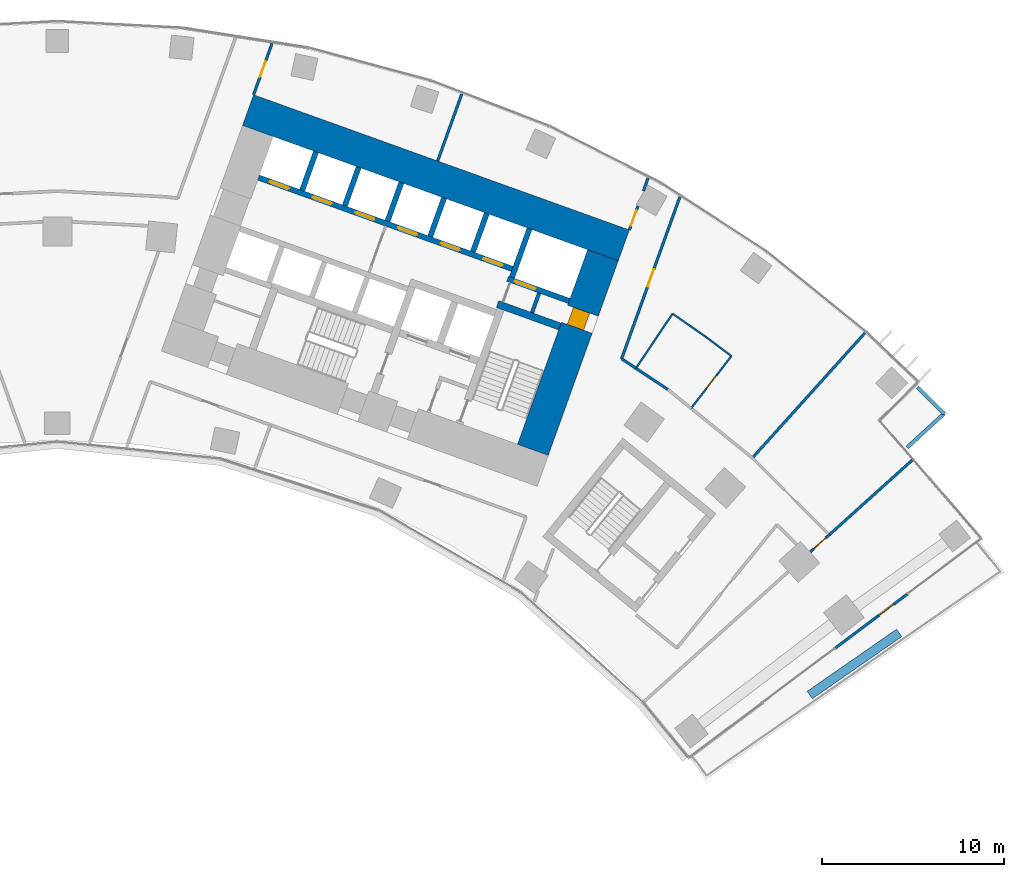
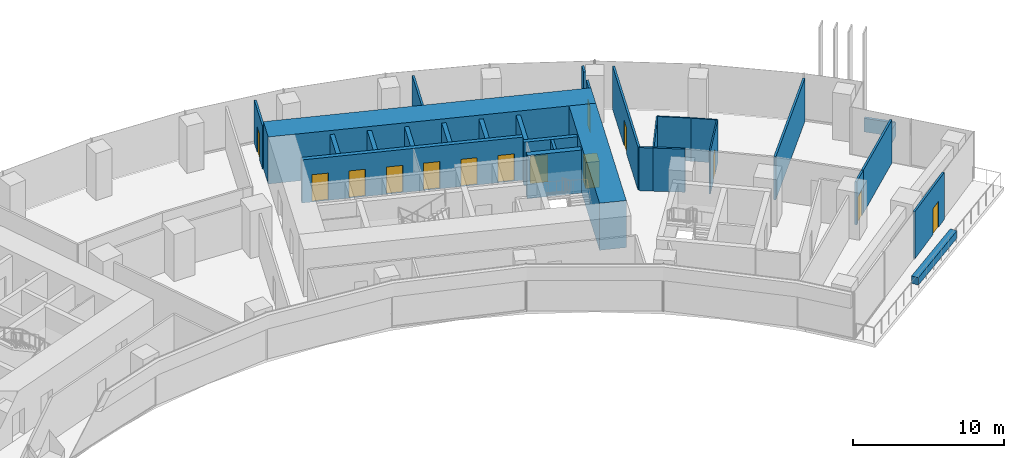
# One storey, part 18 of 21: 30 walls, 14 doors, 14 openings.
"""IFC4 building model written with IfcOpenShell, lengths in metres."""

import ifcopenshell
import ifcopenshell.guid

model = None  # the IFC model being written
_history = None  # IfcOwnerHistory: only IFC2X3 demands one
_inside = {}  # id of a spatial element -> (the spatial element, [elements in it])
_under = {}  # id of a project, library or spatial element -> (it, [spatial elements below it])
_declared = {}  # id of a project -> (the project, [libraries it declares])
_typed = {}  # id of a type object -> (the type object, [elements of that type])
_made_of = {}  # id of a material, layer set ... -> (it, [elements and type objects made of it])


def new_model(schema):
    """Start an empty IFC model of exactly this schema.

    Asked for "IFC4X3", IfcOpenShell would pick the latest addendum, in which some entities
    have other attributes; the version numbers below select the first issue.
    IFC2X3 requires an IfcOwnerHistory on every rooted entity: one is made here for all.
    """
    global model, _history
    if schema == "IFC4X3":
        model = ifcopenshell.file(schema_version=(4, 3, 0, 0))
    else:
        model = ifcopenshell.file(schema=schema)
    _inside.clear()
    _under.clear()
    _declared.clear()
    _typed.clear()
    _made_of.clear()
    _history = None
    if model.schema == "IFC2X3":
        org = make("IfcOrganization", Name="unknown")
        user = make(
            "IfcPersonAndOrganization",
            ThePerson=make("IfcPerson", FamilyName="unknown"),
            TheOrganization=org,
        )
        app = make(
            "IfcApplication",
            ApplicationDeveloper=org,
            Version="unknown",
            ApplicationFullName="unknown",
            ApplicationIdentifier="unknown",
        )
        _history = make(
            "IfcOwnerHistory",
            OwningUser=user,
            OwningApplication=app,
            ChangeAction="ADDED",
            CreationDate=0,
        )
    return model


def make(cls, **values):
    """One entity of the class cls with the attributes given. An attribute that is None is left unset."""
    return model.create_entity(
        cls, **{name: value for name, value in values.items() if value is not None}
    )


def rooted(cls, **values):
    """An entity with a GlobalId (a new one), such as an element, a storey or a relation."""
    return make(cls, GlobalId=ifcopenshell.guid.new(), OwnerHistory=_history, **values)


def si_unit(unit_type, name, prefix=None):
    """IfcSIUnit, for example si_unit("LENGTHUNIT", "METRE", prefix="MILLI")."""
    return make("IfcSIUnit", UnitType=unit_type, Prefix=prefix, Name=name)


def assignment(units):
    """IfcUnitAssignment: the units of a project."""
    return None if units is None else make("IfcUnitAssignment", Units=units)


def point(xyz):
    """IfcCartesianPoint."""
    return None if xyz is None else make("IfcCartesianPoint", Coordinates=xyz)


def direction(xyz):
    """IfcDirection."""
    return None if xyz is None else make("IfcDirection", DirectionRatios=xyz)


def frame(location, z_axis=None, x_axis=None):
    """IfcAxis2Placement3D, a coordinate frame: its origin and axes. An axis left out is left unset."""
    return make(
        "IfcAxis2Placement3D",
        Location=point(location),
        Axis=direction(z_axis),
        RefDirection=direction(x_axis),
    )


def frame_2d(location, x_axis=None):
    """IfcAxis2Placement2D, a coordinate frame in the plane: its origin and x axis."""
    return make(
        "IfcAxis2Placement2D", Location=point(location), RefDirection=direction(x_axis)
    )


def origin():
    """The frame at (0, 0, 0) with its axes left unset."""
    return frame((0.0, 0.0, 0.0))


def origin_2d():
    """The frame at (0, 0) in the plane with its x axis left unset."""
    return frame_2d((0.0, 0.0))


def place(relative_to, where):
    """IfcLocalPlacement: puts the frame where relative to a parent placement (None: the world)."""
    return make(
        "IfcLocalPlacement", PlacementRelTo=relative_to, RelativePlacement=where
    )


def context(
    kind, dimensions, precision=None, world=None, true_north=None, identifier=None
):
    """IfcGeometricRepresentationContext, for example the 3D "Model" context."""
    return make(
        "IfcGeometricRepresentationContext",
        ContextIdentifier=identifier,
        ContextType=kind,
        CoordinateSpaceDimension=dimensions,
        Precision=precision,
        WorldCoordinateSystem=world,
        TrueNorth=true_north,
    )


def subcontext(parent, identifier, kind, view, scale=None):
    """IfcGeometricRepresentationSubContext, for example "Body" below "Model"."""
    return make(
        "IfcGeometricRepresentationSubContext",
        ContextIdentifier=identifier,
        ContextType=kind,
        ParentContext=parent,
        TargetScale=scale,
        TargetView=view,
    )


def project(units=None, contexts=None):
    """IfcProject with its units and contexts."""
    return rooted(
        "IfcProject",
        Name="project",
        RepresentationContexts=contexts,
        UnitsInContext=assignment(units),
    )


def spatial(cls, under=None, at=None, **own):
    """A site, building, storey or space (cls), placed at a placement, below another one or the project."""
    s = rooted(cls, ObjectPlacement=at, **own)
    if under is not None:
        _under.setdefault(under.id(), (under, []))[1].append(s)
    return s


def profile(cls, at=None, kind="AREA", **sizes):
    """A parametric profile (cls). Its sizes go by their IFC names, for example OverallWidth=200.0."""
    return make(cls, ProfileType=kind, Position=at, **sizes)


def rectangle(**sizes):
    """IfcRectangleProfileDef."""
    return profile("IfcRectangleProfileDef", **sizes)


def extrude(swept, where, along, depth):
    """IfcExtrudedAreaSolid: the profile swept, set in the frame where, extruded along a direction by depth."""
    return make(
        "IfcExtrudedAreaSolid",
        SweptArea=swept,
        Position=where,
        ExtrudedDirection=direction(along),
        Depth=depth,
    )


def shape(context_of_items, identifier, shape_type, items):
    """IfcShapeRepresentation: the items that make up one representation, for example the "Body"."""
    return make(
        "IfcShapeRepresentation",
        ContextOfItems=context_of_items,
        RepresentationIdentifier=identifier,
        RepresentationType=shape_type,
        Items=items,
    )


def material(Name=None, Category=None):
    """IfcMaterial."""
    return make("IfcMaterial", Name=Name, Category=Category)


def layer(
    of_material, thickness, ventilated=None, Name=None, Category=None, Priority=None
):
    """IfcMaterialLayer: one layer of a wall or slab, of a material (None: an air gap)."""
    return make(
        "IfcMaterialLayer",
        Material=of_material,
        LayerThickness=thickness,
        IsVentilated=ventilated,
        Name=Name,
        Category=Category,
        Priority=Priority,
    )


def layer_set(layers, Name=None):
    """IfcMaterialLayerSet."""
    return make("IfcMaterialLayerSet", MaterialLayers=layers, LayerSetName=Name)


def made_of(thing, what):
    """Note that an element or type object is made of a material, layer set ...; save() writes the relation."""
    if what is not None:
        _made_of.setdefault(what.id(), (what, []))[1].append(thing)
    return thing


def type_object(cls, material=None, **own):
    """A type object (cls), such as IfcWallType, which elements share."""
    return made_of(rooted(cls, **own), material)


def element(
    cls,
    number,
    at=None,
    inside=None,
    cuts=None,
    type_object=None,
    material=None,
    context=None,
    identifier="Body",
    shape_type=None,
    held_by="IfcProductDefinitionShape",
    body=None,
    shapes=None,
    **own,
):
    """One element of the class cls, such as IfcWall. Its Tag is "e" and its number.

    at: its placement. inside: the storey or other place that contains it. cuts: it is an
    opening in that element (IfcRelVoidsElement). A single representation is given by context,
    identifier, shape_type and body (its items); several are given by shapes. held_by: the class
    of the entity that holds the representations. save() writes the other relations.
    """
    e = rooted(cls, Tag="e%d" % number, ObjectPlacement=at, **own)
    if body is not None:
        shapes = [shape(context, identifier, shape_type, body)]
    if shapes is not None:
        e.Representation = make(held_by, Representations=shapes)
    if inside is not None:
        _inside.setdefault(inside.id(), (inside, []))[1].append(e)
    if cuts is not None:
        rooted(
            "IfcRelVoidsElement", RelatingBuildingElement=cuts, RelatedOpeningElement=e
        )
    if type_object is not None:
        _typed.setdefault(type_object.id(), (type_object, []))[1].append(e)
    return made_of(e, material)


def fill(opening, filler):
    """IfcRelFillsElement: the door or window that sits in an opening."""
    return rooted(
        "IfcRelFillsElement",
        RelatingOpeningElement=opening,
        RelatedBuildingElement=filler,
    )


def aggregate(whole, parts):
    """IfcRelAggregates: a whole, such as a stair, and the parts it consists of."""
    return rooted("IfcRelAggregates", RelatingObject=whole, RelatedObjects=parts)


def save(model, path):
    """Write the relations noted so far, then the file.

    IfcRelAggregates (storeys below a building ...), IfcRelContainedInSpatialStructure (elements
    in a storey), IfcRelDefinesByType, IfcRelAssociatesMaterial and IfcRelDeclares: one each for
    every whole, place, type object, material and project.
    """
    for whole, parts in _under.values():
        aggregate(whole, parts)
    for where, things in _inside.values():
        rooted(
            "IfcRelContainedInSpatialStructure",
            RelatedElements=things,
            RelatingStructure=where,
        )
    for kind, things in _typed.values():
        rooted("IfcRelDefinesByType", RelatedObjects=things, RelatingType=kind)
    for what, things in _made_of.values():
        rooted("IfcRelAssociatesMaterial", RelatedObjects=things, RelatingMaterial=what)
    for by, libraries in _declared.values():
        rooted("IfcRelDeclares", RelatingContext=by, RelatedDefinitions=libraries)
    model.write(path)


model = new_model("IFC4")

# Units and contexts
model_context = context("Model", 3, precision=1e-05, world=origin(), true_north=direction((0.0, 1.0)))
body_context = subcontext(model_context, "Body", "Model", "MODEL_VIEW")
ifc_project = project(units=[si_unit("LENGTHUNIT", "METRE"), si_unit("AREAUNIT", "SQUARE_METRE"), si_unit("VOLUMEUNIT", "CUBIC_METRE"), si_unit("PLANEANGLEUNIT", "RADIAN"), si_unit("MASSUNIT", "GRAM", prefix="KILO")], contexts=[model_context])

# Site, building, storey
site_placement = place(None, origin())
site = spatial("IfcSite", under=ifc_project, at=site_placement, CompositionType="ELEMENT")
building_placement = place(site_placement, origin())
building = spatial("IfcBuilding", under=site, at=building_placement, Name="Stone Belt Terrace Tower", CompositionType="ELEMENT")
storey_placement = place(building_placement, frame((0.0, 0.0, 68.0)))
storey = spatial("IfcBuildingStorey", under=building, at=storey_placement, Name="L16", CompositionType="ELEMENT", Elevation=68.0)

# Wall, opening, door
ifc_material_1 = material(Name="Terracotta coloured glazed ceramic", Category="masonry")
ifc_layer_1 = layer(ifc_material_1, 0.14990234375)
ifc_layer_set_1 = layer_set([ifc_layer_1], Name="Ceramic rain-screen wall 150")
wall_type_1 = type_object("IfcWallType", Name="Ceramic rain-screen wall 150", PredefinedType="SOLIDWALL", material=ifc_layer_set_1)
wall_1_placement = place(storey_placement, frame((42.8681640625, 32.05908203125, 0.0), z_axis=(0.0, 0.0, 1.0), x_axis=(0.800023721353, 0.599968370227, 0.0)))
wall_1 = element("IfcWall", 1, at=wall_1_placement, inside=storey, type_object=wall_type_1, Name="Door wall L16", PredefinedType="SOLIDWALL", context=body_context, shape_type="SweptSolid", body=[
    extrude(rectangle(XDim=4.93994140625, YDim=0.14990234375, at=frame_2d((2.469970703125, 0.0))), origin(), (0.0, 0.0, 1.0), 3.800048828125),
])
opening_1_placement = place(wall_1_placement, frame((3.0, 0.0, 0.0)))
opening_1 = element("IfcOpeningElement", 2, at=opening_1_placement, cuts=wall_1, Name="Opening L16-E01", PredefinedType="OPENING", context=body_context, shape_type="SweptSolid", body=[
    extrude(rectangle(XDim=1.0, YDim=2.10009765625, at=frame_2d((0.5, 1.050048828125))), frame((0.0, 0.0849609375, 0.0), z_axis=(0.0, -1.0, 0.0), x_axis=(1.0, 0.0, 0.0)), (0.0, 0.0, 1.0), 0.169921875),
])
ifc_material_2 = material(Name="Anodised aluminium glazed door", Category="aluminium")
door_type_1 = type_object("IfcDoorType", Name="Terrace door 1000 x 2100", OperationType="NOTDEFINED", PredefinedType="DOOR", material=ifc_material_2)
door_1_placement = place(opening_1_placement, origin())
door_1 = element("IfcDoor", 3, at=door_1_placement, inside=storey, type_object=door_type_1, Name="Terrace door L16", OperationType="SINGLE_SWING_RIGHT", OverallHeight=2.10009765625, OverallWidth=1.0, PredefinedType="DOOR", context=body_context, shape_type="SweptSolid", body=[
    extrude(rectangle(XDim=1.0, YDim=2.10009765625, at=frame_2d((0.5, 1.050048828125))), frame((0.0, 0.02490234375, 0.0), z_axis=(0.0, -1.0, 0.0), x_axis=(1.0, 0.0, 0.0)), (0.0, 0.0, 1.0), 0.050048828125),
])
fill(opening_1, door_1)

# Wall
ifc_material_3 = material(Name="Concrete B80", Category="concrete")
ifc_layer_2 = layer(ifc_material_3, 1.800048828125)
ifc_layer_set_2 = layer_set([ifc_layer_2], Name="Core wall 1800 B80")
wall_type_2 = type_object("IfcWallType", Name="Core wall 1800 B80", PredefinedType="SHEAR", material=ifc_layer_set_2)
wall_2_placement = place(storey_placement, frame((10.509033203125, 61.685546875, 0.0), z_axis=(0.0, 0.0, 1.0), x_axis=(0.940922914687, -0.338620833112, 0.0)))
element("IfcWall", 4, at=wall_2_placement, inside=storey, type_object=wall_type_2, Name="Core B wall convex L16", PredefinedType="SHEAR", context=body_context, shape_type="SweptSolid", body=[
    extrude(rectangle(XDim=22.000244140625, YDim=1.800048828125, at=frame_2d((11.0, 0.0))), origin(), (0.0, 0.0, 1.0), 3.800048828125),
])

# Wall, opening, door
wall_3_placement = place(storey_placement, frame((26.197509765625, 42.96728515625, 0.0), z_axis=(0.0, 0.0, 1.0), x_axis=(0.338625431531, 0.940921259788, 0.0)))
wall_3 = element("IfcWall", 5, at=wall_3_placement, inside=storey, type_object=wall_type_2, Name="Core B wall end_b L16", PredefinedType="SHEAR", context=body_context, shape_type="SweptSolid", body=[
    extrude(rectangle(XDim=11.400146484375, YDim=1.800048828125, at=frame_2d((5.7001953125, 0.0))), origin(), (0.0, 0.0, 1.0), 3.800048828125),
])
opening_2_placement = place(wall_3_placement, frame((7.150146484375, 0.0, 0.0)))
opening_2 = element("IfcOpeningElement", 6, at=opening_2_placement, cuts=wall_3, Name="Opening L16-C12", PredefinedType="OPENING", context=body_context, shape_type="SweptSolid", body=[
    extrude(rectangle(XDim=1.0, YDim=2.10009765625, at=frame_2d((0.5, 1.050048828125))), frame((0.0, 0.909912109375, 0.0), z_axis=(0.0, -1.0, 0.0), x_axis=(1.0, 0.0, 0.0)), (0.0, 0.0, 1.0), 1.820068359375),
])
ifc_material_4 = material(Name="Timber door leaf", Category="wood")
door_type_2 = type_object("IfcDoorType", Name="Core room door 1000", OperationType="SINGLE_SWING_LEFT", PredefinedType="DOOR", material=ifc_material_4)
door_2_placement = place(opening_2_placement, origin())
door_2 = element("IfcDoor", 7, at=door_2_placement, inside=storey, type_object=door_type_2, Name="Door to Telecommunications riser room core B", OperationType="SINGLE_SWING_RIGHT", OverallHeight=2.10009765625, OverallWidth=1.0, PredefinedType="DOOR", context=body_context, shape_type="SweptSolid", body=[
    extrude(rectangle(XDim=1.0, YDim=2.10009765625, at=frame_2d((0.5, 1.050048828125))), frame((0.0, 0.55517578125, 0.0), z_axis=(0.0, -1.0, 0.0), x_axis=(1.0, 0.0, 0.0)), (0.0, 0.0, 1.0), 0.949951171875),
])
fill(opening_2, door_2)

ifc_layer_3 = layer(ifc_material_3, 0.300048828125)
ifc_layer_set_3 = layer_set([ifc_layer_3], Name="Lift shaft wall 300")
wall_type_3 = type_object("IfcWallType", Name="Lift shaft wall 300", PredefinedType="SHEAR", material=ifc_layer_set_3)
wall_4_placement = place(storey_placement, frame((28.195068359375, 51.17578125, 0.0), z_axis=(0.0, 0.0, 1.0), x_axis=(-0.940901243567, 0.338681044427, 0.0)))
wall_4 = element("IfcWall", 8, at=wall_4_placement, inside=storey, type_object=wall_type_3, Name="Core B wall", PredefinedType="SHEAR", context=body_context, shape_type="SweptSolid", body=[
    extrude(rectangle(XDim=3.599853515625, YDim=0.300048828125, at=frame_2d((1.7998046875, 0.0))), origin(), (0.0, 0.0, 1.0), 3.47998046875),
])
opening_3_placement = place(wall_4_placement, frame((1.969970703125, 0.0, 0.0)))
opening_3 = element("IfcOpeningElement", 9, at=opening_3_placement, cuts=wall_4, Name="Opening L16-LD18", PredefinedType="OPENING", context=body_context, shape_type="SweptSolid", body=[
    extrude(rectangle(XDim=1.199951171875, YDim=2.199951171875, at=frame_2d((0.60009765625, 1.10009765625))), frame((0.0, 0.159912109375, 0.0), z_axis=(0.0, -1.0, 0.0), x_axis=(1.0, 0.0, 0.0)), (0.0, 0.0, 1.0), 0.320068359375),
])
ifc_material_5 = material(Name="Stainless steel door leaf", Category="steel")
door_type_3 = type_object("IfcDoorType", Name="Landing door 1200", OperationType="SLIDING_TO_LEFT", PredefinedType="DOOR", material=ifc_material_5)
door_3_placement = place(opening_3_placement, origin())
door_3 = element("IfcDoor", 10, at=door_3_placement, inside=storey, type_object=door_type_3, Name="Landing door SV1 core B", OperationType="SLIDING_TO_LEFT", OverallHeight=2.199951171875, OverallWidth=1.199951171875, PredefinedType="DOOR", context=body_context, shape_type="SweptSolid", body=[
    extrude(rectangle(XDim=1.199951171875, YDim=2.199951171875, at=frame_2d((0.60009765625, 1.10009765625))), frame((0.0, 0.02490234375, 0.0), z_axis=(0.0, -1.0, 0.0), x_axis=(1.0, 0.0, 0.0)), (0.0, 0.0, 1.0), 0.050048828125),
])
fill(opening_3, door_3)

# Wall
wall_5_placement = place(storey_placement, frame((25.046875, 52.46826171875, 0.0), z_axis=(0.0, 0.0, 1.0), x_axis=(0.338549588058, 0.940948551423, 0.0)))
element("IfcWall", 11, at=wall_5_placement, inside=storey, type_object=wall_type_3, Name="Core B wall", PredefinedType="SHEAR", context=body_context, shape_type="SweptSolid", body=[
    extrude(rectangle(XDim=2.849853515625, YDim=0.300048828125, at=frame_2d((1.4248046875, 0.0))), origin(), (0.0, 0.0, 1.0), 3.47998046875),
])

# Wall, openings, doors
wall_6_placement = place(storey_placement, frame((25.05810546875, 52.9423828125, 0.0), z_axis=(0.0, 0.0, 1.0), x_axis=(-0.940918215764, 0.338633889685, 0.0)))
wall_6 = element("IfcWall", 12, at=wall_6_placement, inside=storey, type_object=wall_type_3, Name="Core B wall", PredefinedType="SHEAR", context=body_context, shape_type="SweptSolid", body=[
    extrude(rectangle(XDim=14.850341796875, YDim=0.300048828125, at=frame_2d((7.42529296875, 0.0))), origin(), (0.0, 0.0, 1.0), 3.47998046875),
])
opening_4_placement = place(wall_6_placement, frame((0.570068359375, 0.0, 0.0)))
opening_4 = element("IfcOpeningElement", 13, at=opening_4_placement, cuts=wall_6, Name="Opening L16-LD10", PredefinedType="OPENING", context=body_context, shape_type="SweptSolid", body=[
    extrude(rectangle(XDim=1.10009765625, YDim=2.199951171875, at=frame_2d((0.550048828125, 1.10009765625))), frame((0.0, 0.159912109375, 0.0), z_axis=(0.0, -1.0, 0.0), x_axis=(1.0, 0.0, 0.0)), (0.0, 0.0, 1.0), 0.320068359375),
])
opening_5_placement = place(wall_6_placement, frame((3.070068359375, 0.0, 0.0)))
opening_5 = element("IfcOpeningElement", 14, at=opening_5_placement, cuts=wall_6, Name="Opening L16-LD11", PredefinedType="OPENING", context=body_context, shape_type="SweptSolid", body=[
    extrude(rectangle(XDim=1.10009765625, YDim=2.199951171875, at=frame_2d((0.550048828125, 1.10009765625))), frame((0.0, 0.159912109375, 0.0), z_axis=(0.0, -1.0, 0.0), x_axis=(1.0, 0.0, 0.0)), (0.0, 0.0, 1.0), 0.320068359375),
])
opening_6_placement = place(wall_6_placement, frame((5.570068359375, 0.0, 0.0)))
opening_6 = element("IfcOpeningElement", 15, at=opening_6_placement, cuts=wall_6, Name="Opening L16-LD12", PredefinedType="OPENING", context=body_context, shape_type="SweptSolid", body=[
    extrude(rectangle(XDim=1.10009765625, YDim=2.199951171875, at=frame_2d((0.550048828125, 1.10009765625))), frame((0.0, 0.159912109375, 0.0), z_axis=(0.0, -1.0, 0.0), x_axis=(1.0, 0.0, 0.0)), (0.0, 0.0, 1.0), 0.320068359375),
])
opening_7_placement = place(wall_6_placement, frame((8.070068359375, 0.0, 0.0)))
opening_7 = element("IfcOpeningElement", 16, at=opening_7_placement, cuts=wall_6, Name="Opening L16-LD13", PredefinedType="OPENING", context=body_context, shape_type="SweptSolid", body=[
    extrude(rectangle(XDim=1.10009765625, YDim=2.199951171875, at=frame_2d((0.550048828125, 1.10009765625))), frame((0.0, 0.159912109375, 0.0), z_axis=(0.0, -1.0, 0.0), x_axis=(1.0, 0.0, 0.0)), (0.0, 0.0, 1.0), 0.320068359375),
])
opening_8_placement = place(wall_6_placement, frame((10.570068359375, 0.0, 0.0)))
opening_8 = element("IfcOpeningElement", 17, at=opening_8_placement, cuts=wall_6, Name="Opening L16-LD14", PredefinedType="OPENING", context=body_context, shape_type="SweptSolid", body=[
    extrude(rectangle(XDim=1.10009765625, YDim=2.199951171875, at=frame_2d((0.550048828125, 1.10009765625))), frame((0.0, 0.159912109375, 0.0), z_axis=(0.0, -1.0, 0.0), x_axis=(1.0, 0.0, 0.0)), (0.0, 0.0, 1.0), 0.320068359375),
])
opening_9_placement = place(wall_6_placement, frame((13.070068359375, 0.0, 0.0)))
opening_9 = element("IfcOpeningElement", 18, at=opening_9_placement, cuts=wall_6, Name="Opening L16-LD15", PredefinedType="OPENING", context=body_context, shape_type="SweptSolid", body=[
    extrude(rectangle(XDim=1.10009765625, YDim=2.199951171875, at=frame_2d((0.550048828125, 1.10009765625))), frame((0.0, 0.159912109375, 0.0), z_axis=(0.0, -1.0, 0.0), x_axis=(1.0, 0.0, 0.0)), (0.0, 0.0, 1.0), 0.320068359375),
])
door_type_4 = type_object("IfcDoorType", Name="Landing door 1100", OperationType="SLIDING_TO_LEFT", PredefinedType="DOOR", material=ifc_material_5)
door_4_placement = place(opening_4_placement, origin())
door_4 = element("IfcDoor", 19, at=door_4_placement, inside=storey, type_object=door_type_4, Name="Landing door LR1 core B", OperationType="SLIDING_TO_LEFT", OverallHeight=2.199951171875, OverallWidth=1.10009765625, PredefinedType="DOOR", context=body_context, shape_type="SweptSolid", body=[
    extrude(rectangle(XDim=1.10009765625, YDim=2.199951171875, at=frame_2d((0.550048828125, 1.10009765625))), frame((0.0, 0.02490234375, 0.0), z_axis=(0.0, -1.0, 0.0), x_axis=(1.0, 0.0, 0.0)), (0.0, 0.0, 1.0), 0.050048828125),
])
fill(opening_4, door_4)
door_5_placement = place(opening_5_placement, origin())
door_5 = element("IfcDoor", 20, at=door_5_placement, inside=storey, type_object=door_type_4, Name="Landing door LR2 core B", OperationType="SLIDING_TO_LEFT", OverallHeight=2.199951171875, OverallWidth=1.10009765625, PredefinedType="DOOR", context=body_context, shape_type="SweptSolid", body=[
    extrude(rectangle(XDim=1.10009765625, YDim=2.199951171875, at=frame_2d((0.550048828125, 1.10009765625))), frame((0.0, 0.02490234375, 0.0), z_axis=(0.0, -1.0, 0.0), x_axis=(1.0, 0.0, 0.0)), (0.0, 0.0, 1.0), 0.050048828125),
])
fill(opening_5, door_5)
door_6_placement = place(opening_6_placement, origin())
door_6 = element("IfcDoor", 21, at=door_6_placement, inside=storey, type_object=door_type_4, Name="Landing door LR3 core B", OperationType="SLIDING_TO_LEFT", OverallHeight=2.199951171875, OverallWidth=1.10009765625, PredefinedType="DOOR", context=body_context, shape_type="SweptSolid", body=[
    extrude(rectangle(XDim=1.10009765625, YDim=2.199951171875, at=frame_2d((0.550048828125, 1.10009765625))), frame((0.0, 0.02490234375, 0.0), z_axis=(0.0, -1.0, 0.0), x_axis=(1.0, 0.0, 0.0)), (0.0, 0.0, 1.0), 0.050048828125),
])
fill(opening_6, door_6)
door_7_placement = place(opening_7_placement, origin())
door_7 = element("IfcDoor", 22, at=door_7_placement, inside=storey, type_object=door_type_4, Name="Landing door LR4 core B", OperationType="SLIDING_TO_LEFT", OverallHeight=2.199951171875, OverallWidth=1.10009765625, PredefinedType="DOOR", context=body_context, shape_type="SweptSolid", body=[
    extrude(rectangle(XDim=1.10009765625, YDim=2.199951171875, at=frame_2d((0.550048828125, 1.10009765625))), frame((0.0, 0.02490234375, 0.0), z_axis=(0.0, -1.0, 0.0), x_axis=(1.0, 0.0, 0.0)), (0.0, 0.0, 1.0), 0.050048828125),
])
fill(opening_7, door_7)
door_8_placement = place(opening_8_placement, origin())
door_8 = element("IfcDoor", 23, at=door_8_placement, inside=storey, type_object=door_type_4, Name="Landing door LR5 core B", OperationType="SLIDING_TO_LEFT", OverallHeight=2.199951171875, OverallWidth=1.10009765625, PredefinedType="DOOR", context=body_context, shape_type="SweptSolid", body=[
    extrude(rectangle(XDim=1.10009765625, YDim=2.199951171875, at=frame_2d((0.550048828125, 1.10009765625))), frame((0.0, 0.02490234375, 0.0), z_axis=(0.0, -1.0, 0.0), x_axis=(1.0, 0.0, 0.0)), (0.0, 0.0, 1.0), 0.050048828125),
])
fill(opening_8, door_8)
door_9_placement = place(opening_9_placement, origin())
door_9 = element("IfcDoor", 24, at=door_9_placement, inside=storey, type_object=door_type_4, Name="Landing door LR6 core B", OperationType="SLIDING_TO_LEFT", OverallHeight=2.199951171875, OverallWidth=1.10009765625, PredefinedType="DOOR", context=body_context, shape_type="SweptSolid", body=[
    extrude(rectangle(XDim=1.10009765625, YDim=2.199951171875, at=frame_2d((0.550048828125, 1.10009765625))), frame((0.0, 0.02490234375, 0.0), z_axis=(0.0, -1.0, 0.0), x_axis=(1.0, 0.0, 0.0)), (0.0, 0.0, 1.0), 0.050048828125),
])
fill(opening_9, door_9)

# Walls
wall_7_placement = place(storey_placement, frame((22.897705078125, 53.87939453125, 0.0), z_axis=(0.0, 0.0, 1.0), x_axis=(0.338535034312, 0.940953787677, 0.0)))
element("IfcWall", 25, at=wall_7_placement, inside=storey, type_object=wall_type_3, Name="Core B wall", PredefinedType="SHEAR", context=body_context, shape_type="SweptSolid", body=[
    extrude(rectangle(XDim=2.25, YDim=0.300048828125, at=frame_2d((1.125, 0.0))), origin(), (0.0, 0.0, 1.0), 3.47998046875),
])
wall_8_placement = place(storey_placement, frame((20.54541015625, 54.72607421875, 0.0), z_axis=(0.0, 0.0, 1.0), x_axis=(0.338569601369, 0.940941350472, 0.0)))
element("IfcWall", 26, at=wall_8_placement, inside=storey, type_object=wall_type_3, Name="Core B wall", PredefinedType="SHEAR", context=body_context, shape_type="SweptSolid", body=[
    extrude(rectangle(XDim=2.249755859375, YDim=0.300048828125, at=frame_2d((1.125, 0.0))), origin(), (0.0, 0.0, 1.0), 3.47998046875),
])
wall_9_placement = place(storey_placement, frame((18.193115234375, 55.572509765625, 0.0), z_axis=(0.0, 0.0, 1.0), x_axis=(0.338535034312, 0.940953787677, 0.0)))
element("IfcWall", 27, at=wall_9_placement, inside=storey, type_object=wall_type_3, Name="Core B wall", PredefinedType="SHEAR", context=body_context, shape_type="SweptSolid", body=[
    extrude(rectangle(XDim=2.25, YDim=0.300048828125, at=frame_2d((1.125, 0.0))), origin(), (0.0, 0.0, 1.0), 3.47998046875),
])
wall_10_placement = place(storey_placement, frame((15.8408203125, 56.419189453125, 0.0), z_axis=(0.0, 0.0, 1.0), x_axis=(0.338569601369, 0.940941350472, 0.0)))
element("IfcWall", 28, at=wall_10_placement, inside=storey, type_object=wall_type_3, Name="Core B wall", PredefinedType="SHEAR", context=body_context, shape_type="SweptSolid", body=[
    extrude(rectangle(XDim=2.249755859375, YDim=0.300048828125, at=frame_2d((1.125, 0.0))), origin(), (0.0, 0.0, 1.0), 3.47998046875),
])
wall_11_placement = place(storey_placement, frame((13.48828125, 57.265625, 0.0), z_axis=(0.0, 0.0, 1.0), x_axis=(0.338631098537, 0.940919220286, 0.0)))
element("IfcWall", 29, at=wall_11_placement, inside=storey, type_object=wall_type_3, Name="Core B wall", PredefinedType="SHEAR", context=body_context, shape_type="SweptSolid", body=[
    extrude(rectangle(XDim=2.250244140625, YDim=0.300048828125, at=frame_2d((1.125, 0.0))), origin(), (0.0, 0.0, 1.0), 3.47998046875),
])

# Wall, opening, door
ifc_material_6 = material(Name="Gypsum board partition")
ifc_layer_4 = layer(ifc_material_6, 0.10009765625)
ifc_layer_set_4 = layer_set([ifc_layer_4], Name="PARTITION 100")
wall_type_4 = type_object("IfcWallType", Name="PARTITION 100", PredefinedType="PARTITIONING", material=ifc_layer_set_4)
wall_12_placement = place(storey_placement, frame((34.9150390625, 45.260009765625, 0.0), z_axis=(0.0, 0.0, 1.0), x_axis=(0.610816683872, 0.791772049711, 0.0)))
wall_12 = element("IfcWall", 30, at=wall_12_placement, inside=storey, type_object=wall_type_4, Name="L16/wall/i070", PredefinedType="PARTITIONING", context=body_context, shape_type="SweptSolid", body=[
    extrude(rectangle(XDim=3.635986328125, YDim=0.10009765625, at=frame_2d((1.81787109375, 0.0))), origin(), (0.0, 0.0, 1.0), 3.47998046875),
])
opening_10_placement = place(wall_12_placement, frame((1.3681640625, 0.0, 0.0)))
opening_10 = element("IfcOpeningElement", 31, at=opening_10_placement, cuts=wall_12, Name="Opening D-A5-22", PredefinedType="OPENING", context=body_context, shape_type="SweptSolid", body=[
    extrude(rectangle(XDim=0.89990234375, YDim=2.10009765625, at=frame_2d((0.449951171875, 1.050048828125))), frame((0.0, 0.06005859375, 0.0), z_axis=(0.0, -1.0, 0.0), x_axis=(1.0, 0.0, 0.0)), (0.0, 0.0, 1.0), 0.1201171875),
])
door_type_5 = type_object("IfcDoorType", Name="OFFICE DOOR 900 X 2100", OperationType="NOTDEFINED", PredefinedType="DOOR", material=ifc_material_4)
door_10_placement = place(opening_10_placement, origin())
door_10 = element("IfcDoor", 32, at=door_10_placement, inside=storey, type_object=door_type_5, Name="L16/door/i22", OperationType="SINGLE_SWING_RIGHT", OverallHeight=2.10009765625, OverallWidth=0.89990234375, PredefinedType="DOOR", context=body_context, shape_type="SweptSolid", body=[
    extrude(rectangle(XDim=0.89990234375, YDim=2.10009765625, at=frame_2d((0.449951171875, 1.050048828125))), frame((0.0, 0.02490234375, 0.0), z_axis=(0.0, -1.0, 0.0), x_axis=(1.0, 0.0, 0.0)), (0.0, 0.0, 1.0), 0.050048828125),
])
fill(opening_10, door_10)

# Walls
wall_13_placement = place(storey_placement, frame((37.135986328125, 48.138916015625, 0.0), z_axis=(0.0, 0.0, 1.0), x_axis=(-0.800502301886, 0.599329679455, 0.0)))
element("IfcWall", 33, at=wall_13_placement, inside=storey, type_object=wall_type_4, Name="L16/wall/i071", PredefinedType="PARTITIONING", context=body_context, shape_type="SweptSolid", body=[
    extrude(rectangle(XDim=1.748779296875, YDim=0.10009765625, at=frame_2d((0.87451171875, 0.0))), origin(), (0.0, 0.0, 1.0), 3.47998046875),
])
wall_14_placement = place(storey_placement, frame((35.736083984375, 49.18701171875, 0.0), z_axis=(0.0, 0.0, 1.0), x_axis=(-0.819829050149, 0.572608355276, 0.0)))
element("IfcWall", 34, at=wall_14_placement, inside=storey, type_object=wall_type_4, Name="L16/wall/i072", PredefinedType="PARTITIONING", context=body_context, shape_type="SweptSolid", body=[
    extrude(rectangle(XDim=2.24560546875, YDim=0.10009765625, at=frame_2d((1.122802734375, 0.0))), origin(), (0.0, 0.0, 1.0), 3.47998046875),
])
wall_15_placement = place(storey_placement, frame((33.89501953125, 50.472900390625, 0.0), z_axis=(0.0, 0.0, 1.0), x_axis=(-0.557402346669, -0.830242509107, 0.0)))
element("IfcWall", 35, at=wall_15_placement, inside=storey, type_object=wall_type_4, Name="L16/wall/i073", PredefinedType="PARTITIONING", context=body_context, shape_type="SweptSolid", body=[
    extrude(rectangle(XDim=3.6240234375, YDim=0.10009765625, at=frame_2d((1.81201171875, 0.0))), origin(), (0.0, 0.0, 1.0), 3.47998046875),
])

# Wall, opening, door
ifc_layer_5 = layer(ifc_material_6, 0.14990234375)
ifc_layer_set_5 = layer_set([ifc_layer_5], Name="PARTITION 150 EI 60")
wall_type_5 = type_object("IfcWallType", Name="PARTITION 150 EI 60", PredefinedType="PARTITIONING", material=ifc_layer_set_5)
wall_16_placement = place(storey_placement, frame((11.831787109375, 65.361083984375, 0.0), z_axis=(0.0, 0.0, 1.0), x_axis=(-0.338526810165, -0.940956746508, 0.0)))
wall_16 = element("IfcWall", 36, at=wall_16_placement, inside=storey, type_object=wall_type_5, Name="L16/wall/i018", PredefinedType="PARTITIONING", context=body_context, shape_type="SweptSolid", body=[
    extrude(rectangle(XDim=3.006591796875, YDim=0.14990234375, at=frame_2d((1.50341796875, 0.0))), origin(), (0.0, 0.0, 1.0), 3.47998046875),
])
opening_11_placement = place(wall_16_placement, frame((1.05322265625, 0.0, 0.0)))
opening_11 = element("IfcOpeningElement", 37, at=opening_11_placement, cuts=wall_16, Name="Opening D-A5-07", PredefinedType="OPENING", context=body_context, shape_type="SweptSolid", body=[
    extrude(rectangle(XDim=0.89990234375, YDim=2.10009765625, at=frame_2d((0.449951171875, 1.050048828125))), frame((0.0, 0.0849609375, 0.0), z_axis=(0.0, -1.0, 0.0), x_axis=(1.0, 0.0, 0.0)), (0.0, 0.0, 1.0), 0.169921875),
])
door_11_placement = place(opening_11_placement, origin())
door_11 = element("IfcDoor", 38, at=door_11_placement, inside=storey, type_object=door_type_5, Name="L16/door/i07", OperationType="SINGLE_SWING_RIGHT", OverallHeight=2.10009765625, OverallWidth=0.89990234375, PredefinedType="DOOR", context=body_context, shape_type="SweptSolid", body=[
    extrude(rectangle(XDim=0.89990234375, YDim=2.10009765625, at=frame_2d((0.449951171875, 1.050048828125))), frame((0.0, 0.02490234375, 0.0), z_axis=(0.0, -1.0, 0.0), x_axis=(1.0, 0.0, 0.0)), (0.0, 0.0, 1.0), 0.050048828125),
])
fill(opening_11, door_11)

wall_17_placement = place(storey_placement, frame((31.513916015625, 55.0830078125, 0.0), z_axis=(0.0, 0.0, 1.0), x_axis=(0.338861945182, 0.940836107995, 0.0)))
wall_17 = element("IfcWall", 39, at=wall_17_placement, inside=storey, type_object=wall_type_5, Name="L16/wall/i022", PredefinedType="PARTITIONING", context=body_context, shape_type="SweptSolid", body=[
    extrude(rectangle(XDim=1.3955078125, YDim=0.14990234375, at=frame_2d((0.69775390625, 0.0))), origin(), (0.0, 0.0, 1.0), 3.47998046875),
])
opening_12_placement = place(wall_17_placement, frame((0.247802734375, 0.0, 0.0)))
opening_12 = element("IfcOpeningElement", 40, at=opening_12_placement, cuts=wall_17, Name="Opening D-A5-08", PredefinedType="OPENING", context=body_context, shape_type="SweptSolid", body=[
    extrude(rectangle(XDim=0.89990234375, YDim=2.10009765625, at=frame_2d((0.449951171875, 1.050048828125))), frame((0.0, 0.0849609375, 0.0), z_axis=(0.0, -1.0, 0.0), x_axis=(1.0, 0.0, 0.0)), (0.0, 0.0, 1.0), 0.169921875),
])
door_12_placement = place(opening_12_placement, origin())
door_12 = element("IfcDoor", 41, at=door_12_placement, inside=storey, type_object=door_type_5, Name="L16/door/i08", OperationType="SINGLE_SWING_RIGHT", OverallHeight=2.10009765625, OverallWidth=0.89990234375, PredefinedType="DOOR", context=body_context, shape_type="SweptSolid", body=[
    extrude(rectangle(XDim=0.89990234375, YDim=2.10009765625, at=frame_2d((0.449951171875, 1.050048828125))), frame((0.0, 0.02490234375, 0.0), z_axis=(0.0, -1.0, 0.0), x_axis=(1.0, 0.0, 0.0)), (0.0, 0.0, 1.0), 0.050048828125),
])
fill(opening_12, door_12)

# Wall
wall_18_placement = place(storey_placement, frame((32.290283203125, 57.238525390625, 0.0), z_axis=(0.0, 0.0, 1.0), x_axis=(0.338960201827, 0.940800712998, 0.0)))
element("IfcWall", 42, at=wall_18_placement, inside=storey, type_object=wall_type_5, Name="L16/wall/i023", PredefinedType="PARTITIONING", context=body_context, shape_type="SweptSolid", body=[
    extrude(rectangle(XDim=0.754150390625, YDim=0.14990234375, at=frame_2d((0.376953125, 0.0))), origin(), (0.0, 0.0, 1.0), 3.47998046875),
])

# Wall, opening, door
wall_19_placement = place(storey_placement, frame((34.298095703125, 56.91015625, 0.0), z_axis=(0.0, 0.0, 1.0), x_axis=(-0.338747713831, -0.940877242989, 0.0)))
wall_19 = element("IfcWall", 43, at=wall_19_placement, inside=storey, type_object=wall_type_5, Name="L16/wall/i026", PredefinedType="PARTITIONING", context=body_context, shape_type="SweptSolid", body=[
    extrude(rectangle(XDim=9.48828125, YDim=0.14990234375, at=frame_2d((4.744140625, 0.0))), origin(), (0.0, 0.0, 1.0), 3.47998046875),
])
opening_13_placement = place(wall_19_placement, frame((4.243896484375, 0.0, 0.0)))
opening_13 = element("IfcOpeningElement", 44, at=opening_13_placement, cuts=wall_19, Name="Opening D-A5-21", PredefinedType="OPENING", context=body_context, shape_type="SweptSolid", body=[
    extrude(rectangle(XDim=1.0, YDim=2.10009765625, at=frame_2d((0.5, 1.050048828125))), frame((0.0, 0.0849609375, 0.0), z_axis=(0.0, -1.0, 0.0), x_axis=(1.0, 0.0, 0.0)), (0.0, 0.0, 1.0), 0.169921875),
])
ifc_material_7 = material(Name="Timber fire door leaf", Category="wood")
door_type_6 = type_object("IfcDoorType", Name="TENANCY ENTRANCE DOOR 1000 X 2100", OperationType="NOTDEFINED", PredefinedType="DOOR", material=ifc_material_7)
door_13_placement = place(opening_13_placement, origin())
door_13 = element("IfcDoor", 45, at=door_13_placement, inside=storey, type_object=door_type_6, Name="L16/door/i21", OperationType="SINGLE_SWING_RIGHT", OverallHeight=2.10009765625, OverallWidth=1.0, PredefinedType="DOOR", context=body_context, shape_type="SweptSolid", body=[
    extrude(rectangle(XDim=1.0, YDim=2.10009765625, at=frame_2d((0.5, 1.050048828125))), frame((0.0, 0.02490234375, 0.0), z_axis=(0.0, -1.0, 0.0), x_axis=(1.0, 0.0, 0.0)), (0.0, 0.0, 1.0), 0.050048828125),
])
fill(opening_13, door_13)

# Wall
wall_20_placement = place(storey_placement, frame((22.283935546875, 62.5791015625, 0.0), z_axis=(0.0, 0.0, 1.0), x_axis=(-0.338552193267, -0.940947614075, 0.0)))
element("IfcWall", 46, at=wall_20_placement, inside=storey, type_object=wall_type_5, Name="L16/wall/i030", PredefinedType="PARTITIONING", context=body_context, shape_type="SweptSolid", body=[
    extrude(rectangle(XDim=3.927978515625, YDim=0.14990234375, at=frame_2d((1.9638671875, 0.0))), origin(), (0.0, 0.0, 1.0), 3.47998046875),
])

# Wall, opening, door
wall_21_placement = place(storey_placement, frame((42.530029296875, 38.294921875, 0.0), z_axis=(0.0, 0.0, 1.0), x_axis=(-0.742938582599, -0.669359591316, 0.0)))
wall_21 = element("IfcWall", 47, at=wall_21_placement, inside=storey, type_object=wall_type_5, Name="L16/wall/i059", PredefinedType="PARTITIONING", context=body_context, shape_type="SweptSolid", body=[
    extrude(rectangle(XDim=1.400146484375, YDim=0.14990234375, at=frame_2d((0.7001953125, 0.0))), origin(), (0.0, 0.0, 1.0), 3.47998046875),
])
opening_14_placement = place(wall_21_placement, frame((0.250244140625, 0.0, 0.0)))
opening_14 = element("IfcOpeningElement", 48, at=opening_14_placement, cuts=wall_21, Name="Opening D-A5-19", PredefinedType="OPENING", context=body_context, shape_type="SweptSolid", body=[
    extrude(rectangle(XDim=0.89990234375, YDim=2.10009765625, at=frame_2d((0.449951171875, 1.050048828125))), frame((0.0, 0.0849609375, 0.0), z_axis=(0.0, -1.0, 0.0), x_axis=(1.0, 0.0, 0.0)), (0.0, 0.0, 1.0), 0.169921875),
])
door_type_7 = type_object("IfcDoorType", Name="TENANCY ENTRANCE DOOR 900 X 2100", OperationType="NOTDEFINED", PredefinedType="DOOR", material=ifc_material_7)
door_14_placement = place(opening_14_placement, origin())
door_14 = element("IfcDoor", 49, at=door_14_placement, inside=storey, type_object=door_type_7, Name="L16/door/i19", OperationType="SINGLE_SWING_RIGHT", OverallHeight=2.10009765625, OverallWidth=0.89990234375, PredefinedType="DOOR", context=body_context, shape_type="SweptSolid", body=[
    extrude(rectangle(XDim=0.89990234375, YDim=2.10009765625, at=frame_2d((0.449951171875, 1.050048828125))), frame((0.0, 0.02490234375, 0.0), z_axis=(0.0, -1.0, 0.0), x_axis=(1.0, 0.0, 0.0)), (0.0, 0.0, 1.0), 0.050048828125),
])
fill(opening_14, door_14)

# Walls
wall_22_placement = place(storey_placement, frame((42.52197265625, 38.287109375, 0.0), z_axis=(0.0, 0.0, 1.0), x_axis=(0.743096733758, 0.669184013765, 0.0)))
element("IfcWall", 50, at=wall_22_placement, inside=storey, type_object=wall_type_5, Name="L16/wall/i061", PredefinedType="PARTITIONING", context=body_context, shape_type="SweptSolid", body=[
    extrude(rectangle(XDim=6.150390625, YDim=0.14990234375, at=frame_2d((3.0751953125, 0.0))), origin(), (0.0, 0.0, 1.0), 3.47998046875),
])
wall_23_placement = place(storey_placement, frame((31.0859375, 47.988037109375, 0.0), z_axis=(0.0, 0.0, 1.0), x_axis=(0.833112915389, -0.553102947209, 0.0)))
element("IfcWall", 51, at=wall_23_placement, inside=storey, type_object=wall_type_5, Name="L16/wall/i063", PredefinedType="PARTITIONING", context=body_context, shape_type="SweptSolid", body=[
    extrude(rectangle(XDim=0.952880859375, YDim=0.14990234375, at=frame_2d((0.4765625, 0.0))), origin(), (0.0, 0.0, 1.0), 3.47998046875),
])
wall_24_placement = place(storey_placement, frame((31.8701171875, 47.467041015625, 0.0), z_axis=(0.0, 0.0, 1.0), x_axis=(0.833377351952, -0.552704432091, 0.0)))
element("IfcWall", 52, at=wall_24_placement, inside=storey, type_object=wall_type_5, Name="L16/wall/i065", PredefinedType="PARTITIONING", context=body_context, shape_type="SweptSolid", body=[
    extrude(rectangle(XDim=2.118896484375, YDim=0.14990234375, at=frame_2d((1.0595703125, 0.0))), origin(), (0.0, 0.0, 1.0), 3.47998046875),
])
wall_25_placement = place(storey_placement, frame((44.496826171875, 49.41943359375, 0.0), z_axis=(0.0, 0.0, 1.0), x_axis=(-0.669060704206, -0.743207759706, 0.0)))
element("IfcWall", 53, at=wall_25_placement, inside=storey, type_object=wall_type_5, Name="L16/wall/i074", PredefinedType="PARTITIONING", context=body_context, shape_type="SweptSolid", body=[
    extrude(rectangle(XDim=9.275390625, YDim=0.14990234375, at=frame_2d((4.6376953125, 0.0))), origin(), (0.0, 0.0, 1.0), 3.47998046875),
])
ifc_material_8 = material(Name="Precast concrete C40/50", Category="concrete")
ifc_layer_6 = layer(ifc_material_8, 0.5)
ifc_layer_set_6 = layer_set([ifc_layer_6], Name="Planter box 500 x 600")
wall_type_6 = type_object("IfcWallType", Name="Planter box 500 x 600", PredefinedType="SOLIDWALL", material=ifc_layer_set_6)
wall_26_placement = place(storey_placement, frame((43.913330078125, 31.17626953125, 0.0), z_axis=(0.0, 0.0, 1.0), x_axis=(0.821271674793, 0.570537322339, 0.0)))
element("IfcWall", 54, at=wall_26_placement, inside=storey, type_object=wall_type_6, Name="PLANTER L16 1", PredefinedType="SOLIDWALL", context=body_context, shape_type="SweptSolid", body=[
    extrude(rectangle(XDim=6.0, YDim=0.5, at=origin_2d()), origin(), (0.0, 0.0, 1.0), 0.60009765625),
])
ifc_material_9 = material(Name="Concrete masonry block", Category="masonry")
ifc_layer_7 = layer(ifc_material_9, 0.199951171875)
ifc_layer_set_7 = layer_set([ifc_layer_7], Name="Rated lobby wall 200")
wall_type_7 = type_object("IfcWallType", Name="Rated lobby wall 200", PredefinedType="PARTITIONING", material=ifc_layer_set_7)
wall_27_placement = place(storey_placement, frame((26.1552734375, 50.5283203125, 0.0), z_axis=(0.0, 0.0, 1.0), x_axis=(0.338621735342, 0.94092258999, 0.0)))
element("IfcWall", 55, at=wall_27_placement, inside=storey, type_object=wall_type_7, Name="Core B wall", PredefinedType="PARTITIONING", context=body_context, shape_type="SweptSolid", body=[
    extrude(rectangle(XDim=1.14990234375, YDim=0.199951171875, at=frame_2d((0.574951171875, 0.0))), origin(), (0.0, 0.0, 1.0), 3.47998046875),
])
ifc_layer_8 = layer(ifc_material_8, 0.199951171875)
ifc_layer_set_8 = layer_set([ifc_layer_8], Name="Roof parapet 200 x 1100")
wall_type_8 = type_object("IfcWallType", Name="Roof parapet 200 x 1100", PredefinedType="PARAPET", material=ifc_layer_set_8)
wall_28_placement = place(storey_placement, frame((48.85107421875, 44.965576171875, 0.0), z_axis=(0.0, 0.0, 1.0), x_axis=(-0.71047010575, 0.703727382468, 0.0)))
element("IfcWall", 56, at=wall_28_placement, inside=storey, type_object=wall_type_8, Name="PARAPET L16", PredefinedType="PARAPET", context=body_context, shape_type="SweptSolid", body=[
    extrude(rectangle(XDim=2.06396484375, YDim=0.199951171875, at=frame_2d((1.031982421875, 0.0))), origin(), (0.0, 0.0, 1.0), 1.10009765625),
])
wall_29_placement = place(storey_placement, frame((46.8203125, 43.10205078125, 0.0), z_axis=(0.0, 0.0, 1.0), x_axis=(0.736793705845, 0.676117619225, 0.0)))
element("IfcWall", 57, at=wall_29_placement, inside=storey, type_object=wall_type_8, Name="PARAPET L16", PredefinedType="PARAPET", context=body_context, shape_type="SweptSolid", body=[
    extrude(rectangle(XDim=2.756103515625, YDim=0.199951171875, at=frame_2d((1.3779296875, 0.0))), origin(), (0.0, 0.0, 1.0), 1.10009765625),
])
ifc_layer_9 = layer(ifc_material_3, 0.39990234375)
ifc_layer_set_9 = layer_set([ifc_layer_9], Name="Stair enclosure wall 400")
wall_type_9 = type_object("IfcWallType", Name="Stair enclosure wall 400", PredefinedType="SHEAR", material=ifc_layer_set_9)
wall_30_placement = place(storey_placement, frame((27.687255859375, 49.764404296875, 0.0), z_axis=(0.0, 0.0, 1.0), x_axis=(-0.940918954884, 0.338631835981, 0.0)))
element("IfcWall", 58, at=wall_30_placement, inside=storey, type_object=wall_type_9, Name="Core B wall", PredefinedType="SHEAR", context=body_context, shape_type="SweptSolid", body=[
    extrude(rectangle(XDim=3.650146484375, YDim=0.39990234375, at=frame_2d((1.8251953125, 0.0))), origin(), (0.0, 0.0, 1.0), 3.47998046875),
])

save(model, "model.ifc")
